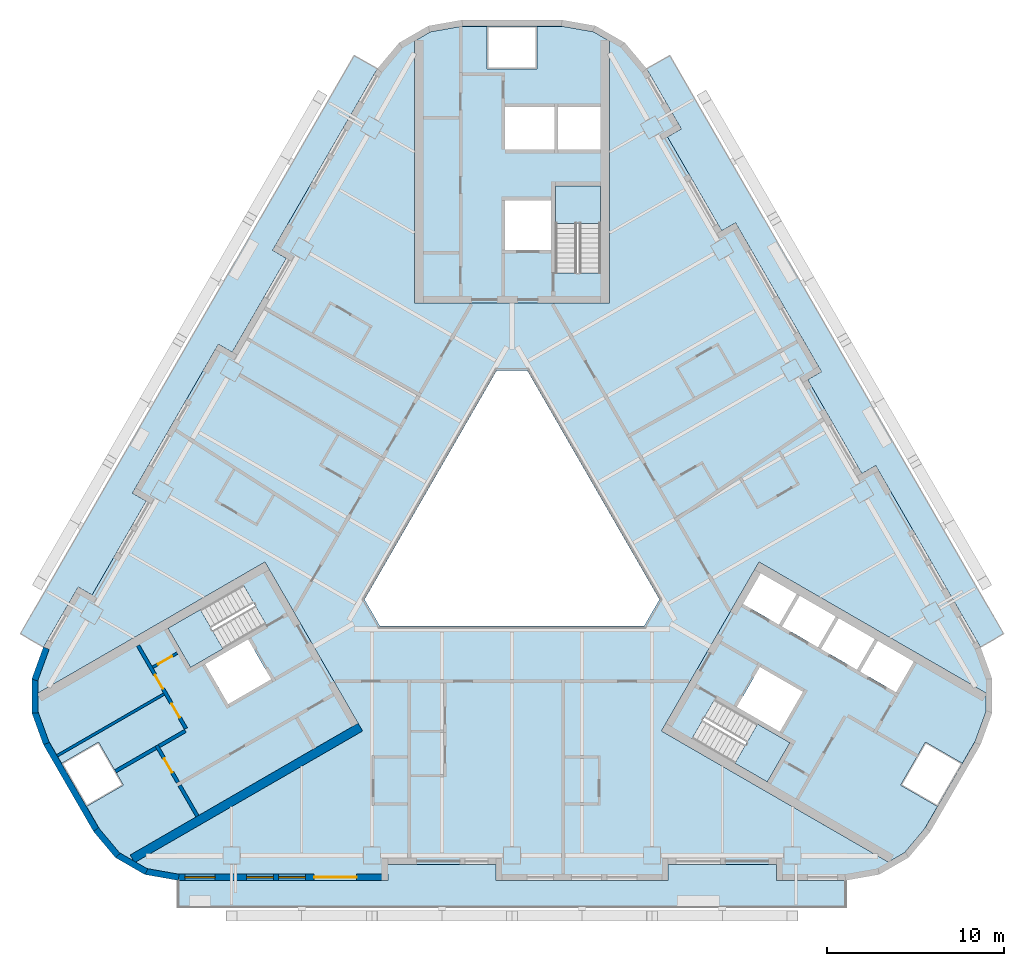
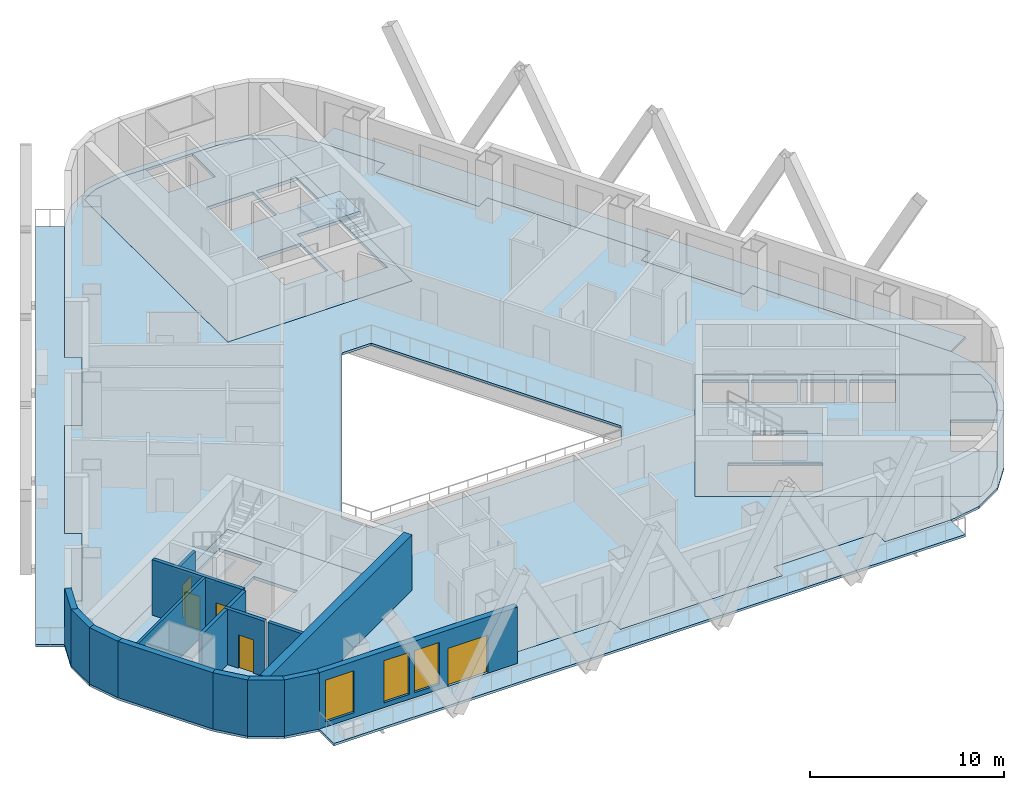
# One storey, part 2 of 14: 16 walls, 10 slabs, 5 doors, 3 windows, 8 openings, 3 elements without a shape of their own.
"""IFC4 building model written with IfcOpenShell, lengths in metres."""

from ifc_helpers import new_model, si_unit, direction, frame, frame_2d, origin, place, context, subcontext, project, spatial, polyline, rectangle, outline, extrude, material, layer, layer_set, type_object, element, fill, aggregate, save


model = new_model("IFC4")

# Units and contexts
model_context = context("Model", 3, precision=1e-05, world=origin(), true_north=direction((0.0, 1.0)))
body_context = subcontext(model_context, "Body", "Model", "MODEL_VIEW")
ifc_project = project(units=[si_unit("LENGTHUNIT", "METRE"), si_unit("AREAUNIT", "SQUARE_METRE"), si_unit("VOLUMEUNIT", "CUBIC_METRE"), si_unit("PLANEANGLEUNIT", "RADIAN"), si_unit("MASSUNIT", "GRAM", prefix="KILO")], contexts=[model_context])

# Site, building, storey
site_placement = place(None, origin())
site = spatial("IfcSite", under=ifc_project, at=site_placement, CompositionType="ELEMENT")
building_placement = place(site_placement, origin())
building = spatial("IfcBuilding", under=site, at=building_placement, Name="Apuvela Tower Hotel", CompositionType="ELEMENT")
storey_placement = place(building_placement, frame((0.0, 0.0, 53.89990234375)))
storey = spatial("IfcBuildingStorey", under=building, at=storey_placement, Name="L10", CompositionType="ELEMENT", Elevation=53.89990234375)

# Slabs
ifc_material_1 = material(Name="Concrete C50/60", Category="concrete")
ifc_layer_1 = layer(ifc_material_1, 0.199951171875)
ifc_layer_set_1 = layer_set([ifc_layer_1], Name="COR-FLOOR-200")
slab_type_1 = type_object("IfcSlabType", Name="COR-FLOOR-200", PredefinedType="FLOOR", material=ifc_layer_set_1)
slab_1_placement = place(storey_placement, frame((0.0, 0.0, -0.199951171875)))
element("IfcSlab", 1, at=slab_1_placement, inside=storey, type_object=slab_type_1, Name="Core floor N", PredefinedType="FLOOR", context=body_context, shape_type="SweptSolid", body=[
    extrude(outline(polyline([(5.5, 27.668212890625), (4.588623046875, 28.1943359375), (2.85498046875, 28.5), (1.39990234375, 28.5), (1.39990234375, 26.10009765625), (-1.39990234375, 26.10009765625), (-1.39990234375, 28.5), (-2.85498046875, 28.5), (-4.588623046875, 28.1943359375), (-5.5, 27.668212890625), (-5.5, 12.89990234375), (5.5, 12.89990234375), (5.5, 27.668212890625)]), holes=[polyline([(5.0, 14.60595703125), (2.449951171875, 14.60595703125), (2.449951171875, 19.5), (5.0, 19.5), (5.0, 14.60595703125)]), polyline([(2.199951171875, 15.89990234375), (-0.39990234375, 15.89990234375), (-0.39990234375, 18.699951171875), (2.199951171875, 18.699951171875), (2.199951171875, 15.89990234375)]), polyline([(5.0, 21.550048828125), (2.60009765625, 21.550048828125), (2.60009765625, 23.949951171875), (5.0, 23.949951171875), (5.0, 21.550048828125)]), polyline([(2.39990234375, 21.550048828125), (-0.39990234375, 21.550048828125), (-0.39990234375, 23.949951171875), (2.39990234375, 23.949951171875), (2.39990234375, 21.550048828125)])]), origin(), (0.0, 0.0, 1.0), 0.199951171875),
])
slab_2_placement = place(storey_placement, frame((0.0, 0.0, -0.199951171875)))
element("IfcSlab", 2, at=slab_2_placement, inside=storey, type_object=slab_type_1, Name="Core floor SW", PredefinedType="FLOOR", context=body_context, shape_type="SweptSolid", body=[
    extrude(outline(polyline([(-26.711181640625, -9.07080078125), (-26.711181640625, -10.123291015625), (-26.109375, -11.77734375), (-25.381591796875, -13.03759765625), (-23.30322265625, -11.837646484375), (-21.9033203125, -14.262451171875), (-23.981689453125, -15.46240234375), (-23.254150390625, -16.72265625), (-22.122802734375, -18.071044921875), (-21.211181640625, -18.59716796875), (-8.421630859375, -11.213134765625), (-13.921630859375, -1.68701171875), (-26.711181640625, -9.07080078125)]), holes=[polyline([(-13.874267578125, -5.18115234375), (-18.112548828125, -7.628173828125), (-19.387451171875, -5.419921875), (-15.149169921875, -2.972900390625), (-13.874267578125, -5.18115234375)]), polyline([(-13.56982421875, -8.29638671875), (-15.99462890625, -9.6962890625), (-17.294677734375, -7.444580078125), (-14.869873046875, -6.044677734375), (-13.56982421875, -8.29638671875)])]), origin(), (0.0, 0.0, 1.0), 0.199951171875),
])
slab_3_placement = place(storey_placement, frame((0.0, 0.0, -0.199951171875)))
element("IfcSlab", 3, at=slab_3_placement, inside=storey, type_object=slab_type_1, Name="Core floor SE", PredefinedType="FLOOR", context=body_context, shape_type="SweptSolid", body=[
    extrude(outline(polyline([(21.211181640625, -18.59716796875), (22.122802734375, -18.071044921875), (23.254150390625, -16.72265625), (23.981689453125, -15.46240234375), (21.9033203125, -14.262451171875), (23.30322265625, -11.837646484375), (25.381591796875, -13.03759765625), (26.109375, -11.77734375), (26.711181640625, -10.123291015625), (26.711181640625, -9.07080078125), (13.921630859375, -1.68701171875), (8.421630859375, -11.213134765625), (21.211181640625, -18.59716796875)]), holes=[polyline([(13.01806640625, -4.052001953125), (14.01806640625, -2.31982421875), (16.044677734375, -3.489990234375), (15.044677734375, -5.221923828125), (13.01806640625, -4.052001953125)]), polyline([(17.244384765625, -6.491943359375), (15.2177734375, -5.322021484375), (16.2177734375, -3.58984375), (18.244384765625, -4.760009765625), (17.244384765625, -6.491943359375)]), polyline([(14.387451171875, -14.080078125), (10.149169921875, -11.633056640625), (11.42431640625, -9.4248046875), (15.66259765625, -11.871826171875), (14.387451171875, -14.080078125)]), polyline([(12.669921875, -9.855224609375), (13.9697265625, -7.603515625), (16.394775390625, -9.003662109375), (15.0947265625, -11.25537109375), (12.669921875, -9.855224609375)]), polyline([(19.444091796875, -7.761962890625), (17.41748046875, -6.591796875), (18.41748046875, -4.85986328125), (20.444091796875, -6.02978515625), (19.444091796875, -7.761962890625)]), polyline([(21.643798828125, -9.031982421875), (19.6171875, -7.86181640625), (20.6171875, -6.1298828125), (22.643798828125, -7.2998046875), (21.643798828125, -9.031982421875)])]), origin(), (0.0, 0.0, 1.0), 0.199951171875),
])

# Stair, slab
stair_type = type_object("IfcStairType", Name="COR-STAIR-22R", PredefinedType="HALF_TURN_STAIR", material=ifc_material_1)
stair_1_placement = place(storey_placement, origin())
stair_1 = element("IfcStair", 4, at=stair_1_placement, inside=storey, type_object=stair_type, Name="L10 Exit stair ST1", PredefinedType="HALF_TURN_STAIR")
ifc_layer_2 = layer(ifc_material_1, 0.199951171875)
ifc_layer_set_2 = layer_set([ifc_layer_2], Name="COR-LANDING-200")
slab_type_2 = type_object("IfcSlabType", Name="COR-LANDING-200", PredefinedType="LANDING", material=ifc_layer_set_2)
slab_4_placement = place(storey_placement, frame((0.0, 0.0, 1.650146484375)))
slab_4 = element("IfcSlab", 5, at=slab_4_placement, type_object=slab_type_2, Name="ST1 landing 1", PredefinedType="LANDING", context=body_context, shape_type="SweptSolid", body=[
    extrude(outline(polyline([(5.0, 17.39404296875), (5.0, 19.5), (2.449951171875, 19.5), (2.449951171875, 17.39404296875), (5.0, 17.39404296875)])), origin(), (0.0, 0.0, 1.0), 0.199951171875),
])
aggregate(stair_1, [slab_4])

stair_2_placement = place(storey_placement, origin())
stair_2 = element("IfcStair", 6, at=stair_2_placement, inside=storey, type_object=stair_type, Name="L10 Exit stair ST2", PredefinedType="HALF_TURN_STAIR")
slab_5_placement = place(storey_placement, frame((0.0, 0.0, 1.650146484375)))
slab_5 = element("IfcSlab", 7, at=slab_5_placement, type_object=slab_type_2, Name="ST2 landing 1", PredefinedType="LANDING", context=body_context, shape_type="SweptSolid", body=[
    extrude(outline(polyline([(-17.563720703125, -4.366943359375), (-19.387451171875, -5.419921875), (-18.112548828125, -7.628173828125), (-16.28857421875, -6.5751953125), (-17.563720703125, -4.366943359375)])), origin(), (0.0, 0.0, 1.0), 0.199951171875),
])
aggregate(stair_2, [slab_5])

stair_3_placement = place(storey_placement, origin())
stair_3 = element("IfcStair", 8, at=stair_3_placement, inside=storey, type_object=stair_type, Name="L10 Exit stair ST3", PredefinedType="HALF_TURN_STAIR")
slab_6_placement = place(storey_placement, frame((0.0, 0.0, 1.650146484375)))
slab_6 = element("IfcSlab", 9, at=slab_6_placement, type_object=slab_type_2, Name="ST3 landing 1", PredefinedType="LANDING", context=body_context, shape_type="SweptSolid", body=[
    extrude(outline(polyline([(12.563720703125, -13.027099609375), (14.387451171875, -14.080078125), (15.66259765625, -11.871826171875), (13.838623046875, -10.81884765625), (12.563720703125, -13.027099609375)])), origin(), (0.0, 0.0, 1.0), 0.199951171875),
])
aggregate(stair_3, [slab_6])

# Slabs
ifc_material_2 = material(Name="Concrete C40/50, fair-faced", Category="concrete")
ifc_layer_3 = layer(ifc_material_2, 0.14990234375)
ifc_layer_set_3 = layer_set([ifc_layer_3], Name="ENV-BALCONY-150")
slab_type_3 = type_object("IfcSlabType", Name="ENV-BALCONY-150", PredefinedType="FLOOR", material=ifc_layer_set_3)
slab_7_placement = place(storey_placement, frame((0.0, 0.0, -0.14990234375)))
element("IfcSlab", 10, at=slab_7_placement, inside=storey, type_object=slab_type_3, Name="Balcony slab S L10", PredefinedType="FLOOR", context=body_context, shape_type="SweptSolid", body=[
    extrude(outline(polyline([(18.82080078125, -21.135009765625), (-18.82080078125, -21.135009765625), (-18.82080078125, -19.625), (-7.0048828125, -19.625), (-7.0048828125, -18.72509765625), (-0.89501953125, -18.72509765625), (-0.89501953125, -19.625), (8.794921875, -19.625), (8.794921875, -18.72509765625), (14.905029296875, -18.72509765625), (14.905029296875, -19.625), (18.82080078125, -19.625), (18.82080078125, -21.135009765625)])), origin(), (0.0, 0.0, 1.0), 0.14990234375),
])
slab_8_placement = place(storey_placement, frame((0.0, 0.0, -0.14990234375)))
element("IfcSlab", 11, at=slab_8_placement, inside=storey, type_object=slab_type_3, Name="Balcony slab NE L10", PredefinedType="FLOOR", context=body_context, shape_type="SweptSolid", body=[
    extrude(outline(polyline([(17.443359375, 9.037353515625), (12.598388671875, 17.42919921875), (11.81884765625, 16.979248046875), (8.763916015625, 22.2705078125), (9.543212890625, 22.720703125), (7.585205078125, 26.11181640625), (8.89306640625, 26.86669921875), (27.7138671875, -5.731689453125), (26.40625, -6.48681640625), (20.498291015625, 3.74609375), (19.71875, 3.2958984375), (16.663818359375, 8.58740234375), (17.443359375, 9.037353515625)])), origin(), (0.0, 0.0, 1.0), 0.14990234375),
])
slab_9_placement = place(storey_placement, frame((0.0, 0.0, -0.14990234375)))
element("IfcSlab", 12, at=slab_9_placement, inside=storey, type_object=slab_type_3, Name="Balcony slab NW L10", PredefinedType="FLOOR", context=body_context, shape_type="SweptSolid", body=[
    extrude(outline(polyline([(-27.7138671875, -5.731689453125), (-8.89306640625, 26.86669921875), (-7.585205078125, 26.11181640625), (-13.4931640625, 15.87890625), (-12.7138671875, 15.428955078125), (-15.768798828125, 10.1376953125), (-16.548095703125, 10.587646484375), (-21.393310546875, 2.19580078125), (-20.61376953125, 1.745849609375), (-23.668701171875, -3.545654296875), (-24.4482421875, -3.095703125), (-26.40625, -6.48681640625), (-27.7138671875, -5.731689453125)])), origin(), (0.0, 0.0, 1.0), 0.14990234375),
])
ifc_material_3 = material(Name="Concrete C35/45", Category="concrete")
ifc_layer_4 = layer(ifc_material_3, 0.14990234375)
ifc_layer_set_4 = layer_set([ifc_layer_4], Name="STR-SLAB 150 floor Concrete C35/45")
slab_type_4 = type_object("IfcSlabType", Name="STR-SLAB 150 floor Concrete C35/45", PredefinedType="FLOOR", material=ifc_layer_set_4)
slab_10_placement = place(storey_placement, frame((0.0, 0.0, -0.14990234375)))
element("IfcSlab", 13, at=slab_10_placement, inside=storey, type_object=slab_type_4, Name="Floor slab S4 L10", PredefinedType="FLOOR", context=body_context, shape_type="SweptSolid", body=[
    extrude(outline(polyline([(-6.3642578125, 27.5732421875), (-4.710205078125, 28.5283203125), (-2.8291015625, 28.860107421875), (2.8291015625, 28.860107421875), (4.710205078125, 28.5283203125), (6.3642578125, 27.5732421875), (7.59228515625, 26.110107421875), (9.550048828125, 22.71875), (8.770751953125, 22.268798828125), (11.82080078125, 16.986083984375), (12.60009765625, 17.43603515625), (17.4501953125, 9.035400390625), (16.670654296875, 8.58544921875), (19.720703125, 3.302734375), (20.5, 3.752685546875), (26.407958984375, -6.47998046875), (27.061279296875, -8.27490234375), (27.061279296875, -10.18505859375), (26.407958984375, -11.97998046875), (23.5791015625, -16.8798828125), (22.351318359375, -18.34326171875), (20.697021484375, -19.29833984375), (18.81591796875, -19.6298828125), (14.89990234375, -19.6298828125), (14.89990234375, -18.72998046875), (8.800048828125, -18.72998046875), (8.800048828125, -19.6298828125), (-0.89990234375, -19.6298828125), (-0.89990234375, -18.72998046875), (-7.0, -18.72998046875), (-7.0, -19.6298828125), (-18.81591796875, -19.6298828125), (-20.697021484375, -19.29833984375), (-22.351318359375, -18.34326171875), (-23.5791015625, -16.8798828125), (-26.407958984375, -11.97998046875), (-27.061279296875, -10.18505859375), (-27.061279296875, -8.27490234375), (-26.407958984375, -6.47998046875), (-24.4501953125, -3.088623046875), (-23.670654296875, -3.538818359375), (-20.62060546875, 1.743896484375), (-21.400146484375, 2.194091796875), (-16.550048828125, 10.594482421875), (-15.7705078125, 10.14453125), (-12.720703125, 15.42724609375), (-13.5, 15.877197265625), (-7.59228515625, 26.110107421875), (-6.3642578125, 27.5732421875)]), holes=[polyline([(0.865966796875, 9.10009765625), (-0.865966796875, 9.10009765625), (-8.313720703125, -3.800048828125), (-7.44775390625, -5.300048828125), (7.44775390625, -5.300048828125), (8.313720703125, -3.800048828125), (0.865966796875, 9.10009765625)]), polyline([(-5.5, 12.89990234375), (-5.5, 27.668212890625), (-4.588623046875, 28.1943359375), (-2.85498046875, 28.5), (2.85498046875, 28.5), (4.588623046875, 28.1943359375), (5.5, 27.668212890625), (5.5, 12.89990234375), (-5.5, 12.89990234375)]), polyline([(-8.421630859375, -11.213134765625), (-21.211181640625, -18.59716796875), (-22.122802734375, -18.071044921875), (-23.254150390625, -16.72265625), (-26.109375, -11.77734375), (-26.711181640625, -10.123291015625), (-26.711181640625, -9.07080078125), (-13.921630859375, -1.68701171875), (-8.421630859375, -11.213134765625)]), polyline([(13.921630859375, -1.68701171875), (26.711181640625, -9.07080078125), (26.711181640625, -10.123291015625), (26.109375, -11.77734375), (23.254150390625, -16.72265625), (22.122802734375, -18.071044921875), (21.211181640625, -18.59716796875), (8.421630859375, -11.213134765625), (13.921630859375, -1.68701171875)])]), origin(), (0.0, 0.0, 1.0), 0.14990234375),
])

# Wall
ifc_layer_5 = layer(ifc_material_1, 0.5)
ifc_layer_set_5 = layer_set([ifc_layer_5], Name="COR-WALL-CORE-500")
wall_type_1 = type_object("IfcWallType", Name="COR-WALL-CORE-500", PredefinedType="SHEAR", material=ifc_layer_set_5)
wall_1_placement = place(storey_placement, frame((-8.546630859375, -10.99658203125, 0.0), z_axis=(0.0, 0.0, 1.0), x_axis=(-0.866025009528, -0.500000682871, 0.0)))
element("IfcWall", 14, at=wall_1_placement, inside=storey, type_object=wall_type_1, Name="Core wall SW", PredefinedType="SHEAR", context=body_context, shape_type="SweptSolid", body=[
    extrude(rectangle(XDim=14.8369140625, YDim=0.5, at=frame_2d((7.41845703125, 0.0))), origin(), (0.0, 0.0, 1.0), 3.5),
])

# Wall, opening, door
ifc_material_4 = material(Name="Blockwork 150 mm plastered", Category="masonry")
ifc_layer_6 = layer(ifc_material_4, 0.14990234375)
ifc_layer_set_6 = layer_set([ifc_layer_6], Name="COR-WALL-PART-150")
wall_type_2 = type_object("IfcWallType", Name="COR-WALL-PART-150", PredefinedType="PARTITIONING", material=ifc_layer_set_6)
wall_2_placement = place(storey_placement, frame((-18.866455078125, -6.822265625, 0.0), z_axis=(0.0, 0.0, 1.0), x_axis=(-0.866028054938, -0.499995408039, 0.0)))
wall_2 = element("IfcWall", 15, at=wall_2_placement, inside=storey, type_object=wall_type_2, Name="Partition SW", PredefinedType="PARTITIONING", context=body_context, shape_type="SweptSolid", body=[
    extrude(rectangle(XDim=1.60009765625, YDim=0.14990234375, at=frame_2d((0.800048828125, 0.0))), origin(), (0.0, 0.0, 1.0), 3.5),
])
opening_1_placement = place(wall_2_placement, frame((0.35009765625, 0.0, 0.0)))
opening_1 = element("IfcOpeningElement", 16, at=opening_1_placement, cuts=wall_2, Name="Opening W-RD", PredefinedType="OPENING", context=body_context, shape_type="SweptSolid", body=[
    extrude(rectangle(XDim=0.89990234375, YDim=2.10009765625, at=frame_2d((0.449951171875, 1.050048828125))), frame((0.0, 0.0849609375, 0.0), z_axis=(0.0, -1.0, 0.0), x_axis=(1.0, 0.0, 0.0)), (0.0, 0.0, 1.0), 0.169921875),
])
ifc_material_5 = material(Name="Steel access door, powder coated", Category="steel")
door_type_1 = type_object("IfcDoorType", Name="COR-RD-900", OperationType="NOTDEFINED", PredefinedType="DOOR", material=ifc_material_5)
door_1_placement = place(opening_1_placement, frame((0.89990234375, 0.0, 0.0), z_axis=(0.0, 0.0, 1.0), x_axis=(-1.0, 0.0, 0.0)))
door_1 = element("IfcDoor", 17, at=door_1_placement, inside=storey, type_object=door_type_1, Name="Riser door W-RD", OperationType="SINGLE_SWING_RIGHT", OverallHeight=2.10009765625, OverallWidth=0.89990234375, PredefinedType="DOOR", context=body_context, shape_type="SweptSolid", body=[
    extrude(rectangle(XDim=0.89990234375, YDim=2.10009765625, at=frame_2d((0.449951171875, 1.050048828125))), frame((0.0, 0.02490234375, 0.0), z_axis=(0.0, -1.0, 0.0), x_axis=(1.0, 0.0, 0.0)), (0.0, 0.0, 1.0), 0.050048828125),
])
fill(opening_1, door_1)

# Wall
wall_3_placement = place(storey_placement, frame((-19.61279296875, -9.129638671875, 0.0), z_axis=(0.0, 0.0, 1.0), x_axis=(-0.866031734426, -0.499989034847, 0.0)))
element("IfcWall", 18, at=wall_3_placement, inside=storey, type_object=wall_type_2, Name="Partition SW", PredefinedType="PARTITIONING", context=body_context, shape_type="SweptSolid", body=[
    extrude(rectangle(XDim=6.949951171875, YDim=0.14990234375, at=frame_2d((3.47509765625, 0.0))), origin(), (0.0, 0.0, 1.0), 3.5),
])

# Wall, openings, doors
ifc_material_6 = material(Name="Blockwork 200 mm plastered", Category="masonry")
ifc_layer_7 = layer(ifc_material_6, 0.199951171875)
ifc_layer_set_7 = layer_set([ifc_layer_7], Name="COR-WALL-PART-200")
wall_type_3 = type_object("IfcWallType", Name="COR-WALL-PART-200", PredefinedType="PARTITIONING", material=ifc_layer_set_7)
wall_4_placement = place(storey_placement, frame((-21.076171875, -6.39501953125, 0.0), z_axis=(0.0, 0.0, 1.0), x_axis=(0.50001468107, -0.866016927499, 0.0)))
wall_4 = element("IfcWall", 19, at=wall_4_placement, inside=storey, type_object=wall_type_3, Name="Partition SW", PredefinedType="PARTITIONING", context=body_context, shape_type="SweptSolid", body=[
    extrude(rectangle(XDim=5.399658203125, YDim=0.199951171875, at=frame_2d((2.69970703125, 0.0))), origin(), (0.0, 0.0, 1.0), 3.5),
])
opening_2_placement = place(wall_4_placement, frame((1.91259765625, 0.0, 0.0)))
opening_2 = element("IfcOpeningElement", 20, at=opening_2_placement, cuts=wall_4, Name="Opening W-RS1", PredefinedType="OPENING", context=body_context, shape_type="SweptSolid", body=[
    extrude(rectangle(XDim=0.89990234375, YDim=2.10009765625, at=frame_2d((0.449951171875, 1.050048828125))), frame((0.0, 0.10986328125, 0.0), z_axis=(0.0, -1.0, 0.0), x_axis=(1.0, 0.0, 0.0)), (0.0, 0.0, 1.0), 0.219970703125),
])
opening_3_placement = place(wall_4_placement, frame((3.78759765625, 0.0, 0.0)))
opening_3 = element("IfcOpeningElement", 21, at=opening_3_placement, cuts=wall_4, Name="Opening W-RS2", PredefinedType="OPENING", context=body_context, shape_type="SweptSolid", body=[
    extrude(rectangle(XDim=0.89990234375, YDim=2.10009765625, at=frame_2d((0.449951171875, 1.050048828125))), frame((0.0, 0.10986328125, 0.0), z_axis=(0.0, -1.0, 0.0), x_axis=(1.0, 0.0, 0.0)), (0.0, 0.0, 1.0), 0.219970703125),
])
ifc_material_7 = material(Name="Steel fire door, powder coated", Category="steel")
door_type_2 = type_object("IfcDoorType", Name="COR-DR-900", OperationType="NOTDEFINED", PredefinedType="DOOR", material=ifc_material_7)
door_2_placement = place(opening_2_placement, frame((0.89990234375, 0.0, 0.0), z_axis=(0.0, 0.0, 1.0), x_axis=(-1.0, 0.0, 0.0)))
door_2 = element("IfcDoor", 22, at=door_2_placement, inside=storey, type_object=door_type_2, Name="Store door W-RS1", OperationType="SINGLE_SWING_LEFT", OverallHeight=2.10009765625, OverallWidth=0.89990234375, PredefinedType="DOOR", context=body_context, shape_type="SweptSolid", body=[
    extrude(rectangle(XDim=0.89990234375, YDim=2.10009765625, at=frame_2d((0.449951171875, 1.050048828125))), frame((0.0, 0.02490234375, 0.0), z_axis=(0.0, -1.0, 0.0), x_axis=(1.0, 0.0, 0.0)), (0.0, 0.0, 1.0), 0.050048828125),
])
fill(opening_2, door_2)
door_3_placement = place(opening_3_placement, frame((0.89990234375, 0.0, 0.0), z_axis=(0.0, 0.0, 1.0), x_axis=(-1.0, 0.0, 0.0)))
door_3 = element("IfcDoor", 23, at=door_3_placement, inside=storey, type_object=door_type_2, Name="Store door W-RS2", OperationType="SINGLE_SWING_LEFT", OverallHeight=2.10009765625, OverallWidth=0.89990234375, PredefinedType="DOOR", context=body_context, shape_type="SweptSolid", body=[
    extrude(rectangle(XDim=0.89990234375, YDim=2.10009765625, at=frame_2d((0.449951171875, 1.050048828125))), frame((0.0, 0.02490234375, 0.0), z_axis=(0.0, -1.0, 0.0), x_axis=(1.0, 0.0, 0.0)), (0.0, 0.0, 1.0), 0.050048828125),
])
fill(opening_3, door_3)

# Wall, opening, door
ifc_layer_8 = layer(ifc_material_1, 0.199951171875)
ifc_layer_set_8 = layer_set([ifc_layer_8], Name="COR-WALL-SHAFT-200")
wall_type_4 = type_object("IfcWallType", Name="COR-WALL-SHAFT-200", PredefinedType="SHEAR", material=ifc_layer_set_8)
wall_5_placement = place(storey_placement, frame((-20.030517578125, -12.0263671875, 0.0), z_axis=(0.0, 0.0, 1.0), x_axis=(0.500033551112, -0.866006032174, 0.0)))
wall_5 = element("IfcWall", 24, at=wall_5_placement, inside=storey, type_object=wall_type_4, Name="Shaft wall SW", PredefinedType="SHEAR", context=body_context, shape_type="SweptSolid", body=[
    extrude(rectangle(XDim=2.400146484375, YDim=0.199951171875, at=frame_2d((1.2001953125, 0.0))), origin(), (0.0, 0.0, 1.0), 3.5),
])
opening_4_placement = place(wall_5_placement, frame((0.85009765625, 0.0, 0.0)))
opening_4 = element("IfcOpeningElement", 25, at=opening_4_placement, cuts=wall_5, Name="Opening W-REP", PredefinedType="OPENING", context=body_context, shape_type="SweptSolid", body=[
    extrude(rectangle(XDim=0.89990234375, YDim=2.10009765625, at=frame_2d((0.449951171875, 1.050048828125))), frame((0.0, 0.10986328125, 0.0), z_axis=(0.0, -1.0, 0.0), x_axis=(1.0, 0.0, 0.0)), (0.0, 0.0, 1.0), 0.219970703125),
])
door_4_placement = place(opening_4_placement, frame((0.89990234375, 0.0, 0.0), z_axis=(0.0, 0.0, 1.0), x_axis=(-1.0, 0.0, 0.0)))
door_4 = element("IfcDoor", 26, at=door_4_placement, inside=storey, type_object=door_type_2, Name="Store door W-REP", OperationType="SINGLE_SWING_LEFT", OverallHeight=2.10009765625, OverallWidth=0.89990234375, PredefinedType="DOOR", context=body_context, shape_type="SweptSolid", body=[
    extrude(rectangle(XDim=0.89990234375, YDim=2.10009765625, at=frame_2d((0.449951171875, 1.050048828125))), frame((0.0, 0.02490234375, 0.0), z_axis=(0.0, -1.0, 0.0), x_axis=(1.0, 0.0, 0.0)), (0.0, 0.0, 1.0), 0.050048828125),
])
fill(opening_4, door_4)

# Walls
wall_6_placement = place(storey_placement, frame((-18.412841796875, -11.2080078125, 0.0), z_axis=(0.0, 0.0, 1.0), x_axis=(-0.866038183914, -0.499977863513, 0.0)))
element("IfcWall", 27, at=wall_6_placement, inside=storey, type_object=wall_type_4, Name="Shaft wall SW", PredefinedType="SHEAR", context=body_context, shape_type="SweptSolid", body=[
    extrude(rectangle(XDim=1.7099609375, YDim=0.199951171875, at=frame_2d((0.85498046875, 0.0))), origin(), (0.0, 0.0, 1.0), 3.5),
])
wall_7_placement = place(storey_placement, frame((-18.73046875, -14.278076171875, 0.0), z_axis=(0.0, 0.0, 1.0), x_axis=(0.50002537861, -0.866010750942, 0.0)))
element("IfcWall", 28, at=wall_7_placement, inside=storey, type_object=wall_type_4, Name="Shaft wall SW", PredefinedType="SHEAR", context=body_context, shape_type="SweptSolid", body=[
    extrude(rectangle(XDim=2.0, YDim=0.199951171875, at=frame_2d((1.0, 0.0))), origin(), (0.0, 0.0, 1.0), 3.5),
])
wall_8_placement = place(storey_placement, frame((-20.06689453125, -12.1630859375, 0.0), z_axis=(0.0, 0.0, 1.0), x_axis=(-0.866060851709, -0.499938597367, 0.0)))
element("IfcWall", 29, at=wall_8_placement, inside=storey, type_object=wall_type_4, Name="Shaft wall SW", PredefinedType="SHEAR", context=body_context, shape_type="SweptSolid", body=[
    extrude(rectangle(XDim=2.639892578125, YDim=0.199951171875, at=frame_2d((1.31982421875, 0.0))), origin(), (0.0, 0.0, 1.0), 3.5),
])
ifc_material_8 = material(Name="Concrete C40/50, dark pigmented precast panel", Category="concrete")
ifc_layer_9 = layer(ifc_material_8, 0.35009765625)
ifc_layer_set_9 = layer_set([ifc_layer_9], Name="ENV-WALL-350")
wall_type_5 = type_object("IfcWallType", Name="ENV-WALL-350", PredefinedType="SOLIDWALL", material=ifc_layer_set_9)
for number, where, z_axis, x_axis, name in (
    (30, (-26.24365234375, -6.539794921875, 0.0), (0.0, 0.0, 1.0), (-0.342030395486, -0.939688889242, 0.0), "External wall L10-10"),
    (31, (-26.88623046875, -8.27490234375, 0.0), (0.0, 0.0, 1.0), (0.0, -1.0, 0.0), "External wall L10-11"),
    (32, (-26.89697265625, -10.125244140625, 0.0), (0.0, 0.0, 1.0), (0.342030395486, -0.939688889242, 0.0), "External wall L10-12"),
):
    element("IfcWall", number, at=place(storey_placement, frame(where, z_axis=z_axis, x_axis=x_axis)), inside=storey, type_object=wall_type_5, Name=name, PredefinedType="SOLIDWALL", context=body_context, shape_type="SweptSolid", body=[
        extrude(rectangle(XDim=1.91015625, YDim=0.35009765625, at=frame_2d((0.955078125, 0.0))), origin(), (0.0, 0.0, 1.0), 3.550048828125),
    ])
wall_9_placement = place(storey_placement, frame((-26.256591796875, -11.892578125, 0.0), z_axis=(0.0, 0.0, 1.0), x_axis=(0.500018773155, -0.866014564827, 0.0)))
element("IfcWall", 33, at=wall_9_placement, inside=storey, type_object=wall_type_5, Name="External wall L10-13", PredefinedType="SOLIDWALL", context=body_context, shape_type="SweptSolid", body=[
    extrude(rectangle(XDim=5.657958984375, YDim=0.35009765625, at=frame_2d((2.8291015625, 0.0))), origin(), (0.0, 0.0, 1.0), 3.550048828125),
])
for number, where, z_axis, x_axis, name in (
    (34, (-23.44482421875, -16.767578125, 0.0), (0.0, 0.0, 1.0), (0.642733291068, -0.76609001857, 0.0), "External wall L10-14"),
    (35, (-22.263671875, -18.191650390625, 0.0), (0.0, 0.0, 1.0), (0.866000389056, -0.500043324278, 0.0), "External wall L10-15"),
):
    element("IfcWall", number, at=place(storey_placement, frame(where, z_axis=z_axis, x_axis=x_axis)), inside=storey, type_object=wall_type_5, Name=name, PredefinedType="SOLIDWALL", context=body_context, shape_type="SweptSolid", body=[
        extrude(rectangle(XDim=1.909912109375, YDim=0.35009765625, at=frame_2d((0.955078125, 0.0))), origin(), (0.0, 0.0, 1.0), 3.550048828125),
    ])
wall_10_placement = place(storey_placement, frame((-20.66650390625, -19.1259765625, 0.0), z_axis=(0.0, 0.0, 1.0), x_axis=(0.984798995425, -0.173697837091, 0.0)))
element("IfcWall", 36, at=wall_10_placement, inside=storey, type_object=wall_type_5, Name="External wall L10-16", PredefinedType="SOLIDWALL", context=body_context, shape_type="SweptSolid", body=[
    extrude(rectangle(XDim=1.91015625, YDim=0.35009765625, at=frame_2d((0.955078125, 0.0))), origin(), (0.0, 0.0, 1.0), 3.550048828125),
])

# Wall, openings, door, windows
wall_11_placement = place(storey_placement, frame((-18.81591796875, -19.455078125, 0.0), z_axis=(0.0, 0.0, 1.0), x_axis=(1.0, 0.0, 0.0)))
wall_11 = element("IfcWall", 37, at=wall_11_placement, inside=storey, type_object=wall_type_5, Name="External wall L10-17", PredefinedType="SOLIDWALL", context=body_context, shape_type="SweptSolid", body=[
    extrude(rectangle(XDim=11.81591796875, YDim=0.35009765625, at=frame_2d((5.907958984375, 0.0))), origin(), (0.0, 0.0, 1.0), 3.550048828125),
])
opening_5_placement = place(wall_11_placement, frame((0.380615234375, 0.0, 0.300048828125)))
opening_5 = element("IfcOpeningElement", 38, at=opening_5_placement, cuts=wall_11, Name="Opening WN17", PredefinedType="OPENING", context=body_context, shape_type="SweptSolid", body=[
    extrude(rectangle(XDim=1.699951171875, YDim=2.64990234375, at=frame_2d((0.85009765625, 1.324951171875))), frame((0.0, 0.18505859375, 0.0), z_axis=(0.0, -1.0, 0.0), x_axis=(1.0, 0.0, 0.0)), (0.0, 0.0, 1.0), 0.3701171875),
])
opening_6_placement = place(wall_11_placement, frame((7.665283203125, 0.0, 0.0)))
opening_6 = element("IfcOpeningElement", 39, at=opening_6_placement, cuts=wall_11, Name="Opening BD24", PredefinedType="OPENING", context=body_context, shape_type="SweptSolid", body=[
    extrude(rectangle(XDim=2.39990234375, YDim=2.39990234375, at=frame_2d((1.199951171875, 1.199951171875))), frame((0.0, 0.18505859375, 0.0), z_axis=(0.0, -1.0, 0.0), x_axis=(1.0, 0.0, 0.0)), (0.0, 0.0, 1.0), 0.3701171875),
])
opening_7_placement = place(wall_11_placement, frame((3.865966796875, 0.0, 0.300048828125)))
opening_7 = element("IfcOpeningElement", 40, at=opening_7_placement, cuts=wall_11, Name="Opening WN15", PredefinedType="OPENING", context=body_context, shape_type="SweptSolid", body=[
    extrude(rectangle(XDim=1.5, YDim=2.64990234375, at=frame_2d((0.75, 1.324951171875))), frame((0.0, 0.18505859375, 0.0), z_axis=(0.0, -1.0, 0.0), x_axis=(1.0, 0.0, 0.0)), (0.0, 0.0, 1.0), 0.3701171875),
])
opening_8_placement = place(wall_11_placement, frame((5.666015625, 0.0, 0.300048828125)))
opening_8 = element("IfcOpeningElement", 41, at=opening_8_placement, cuts=wall_11, Name="Opening WN15", PredefinedType="OPENING", context=body_context, shape_type="SweptSolid", body=[
    extrude(rectangle(XDim=1.5, YDim=2.64990234375, at=frame_2d((0.75, 1.324951171875))), frame((0.0, 0.18505859375, 0.0), z_axis=(0.0, -1.0, 0.0), x_axis=(1.0, 0.0, 0.0)), (0.0, 0.0, 1.0), 0.3701171875),
])
ifc_material_9 = material(Name="Aluminium 6063-T6, dark bronze anodised frame with dark tinted laminated glass", Category="aluminium")
door_type_3 = type_object("IfcDoorType", Name="ENV-DOOR-BALCONY-2400x2400", OperationType="SLIDING_TO_LEFT", PredefinedType="DOOR", material=ifc_material_9)
door_5_placement = place(opening_6_placement, frame((2.39990234375, 0.0, 0.0), z_axis=(0.0, 0.0, 1.0), x_axis=(-1.0, 0.0, 0.0)))
door_5 = element("IfcDoor", 42, at=door_5_placement, inside=storey, type_object=door_type_3, Name="Balcony door BD24", OperationType="SLIDING_TO_LEFT", OverallHeight=2.39990234375, OverallWidth=2.39990234375, PredefinedType="DOOR", context=body_context, shape_type="SweptSolid", body=[
    extrude(rectangle(XDim=2.39990234375, YDim=2.39990234375, at=frame_2d((1.199951171875, 1.199951171875))), frame((0.0, 0.02490234375, 0.0), z_axis=(0.0, -1.0, 0.0), x_axis=(1.0, 0.0, 0.0)), (0.0, 0.0, 1.0), 0.050048828125),
])
fill(opening_6, door_5)
ifc_material_10 = material(Name="Glass, dark tinted laminated insulated glazing unit", Category="glass")
window_type_1 = type_object("IfcWindowType", Name="ENV-WIN-1500x2650", PartitioningType="SINGLE_PANEL", PredefinedType="WINDOW", material=ifc_material_10)
window_1_placement = place(opening_7_placement, origin())
window_1 = element("IfcWindow", 43, at=window_1_placement, inside=storey, type_object=window_type_1, Name="Window WN15", OverallHeight=2.64990234375, OverallWidth=1.5, PartitioningType="SINGLE_PANEL", PredefinedType="WINDOW", context=body_context, shape_type="SweptSolid", body=[
    extrude(rectangle(XDim=1.5, YDim=2.64990234375, at=frame_2d((0.75, 1.324951171875))), frame((0.0, 0.030029296875, 0.0), z_axis=(0.0, -1.0, 0.0), x_axis=(1.0, 0.0, 0.0)), (0.0, 0.0, 1.0), 0.06005859375),
])
fill(opening_7, window_1)
window_2_placement = place(opening_8_placement, origin())
window_2 = element("IfcWindow", 44, at=window_2_placement, inside=storey, type_object=window_type_1, Name="Window WN15", OverallHeight=2.64990234375, OverallWidth=1.5, PartitioningType="SINGLE_PANEL", PredefinedType="WINDOW", context=body_context, shape_type="SweptSolid", body=[
    extrude(rectangle(XDim=1.5, YDim=2.64990234375, at=frame_2d((0.75, 1.324951171875))), frame((0.0, 0.030029296875, 0.0), z_axis=(0.0, -1.0, 0.0), x_axis=(1.0, 0.0, 0.0)), (0.0, 0.0, 1.0), 0.06005859375),
])
fill(opening_8, window_2)
window_type_2 = type_object("IfcWindowType", Name="ENV-WIN-1700x2650", PartitioningType="SINGLE_PANEL", PredefinedType="WINDOW", material=ifc_material_10)
window_3_placement = place(opening_5_placement, origin())
window_3 = element("IfcWindow", 45, at=window_3_placement, inside=storey, type_object=window_type_2, Name="Window WN17", OverallHeight=2.64990234375, OverallWidth=1.699951171875, PartitioningType="SINGLE_PANEL", PredefinedType="WINDOW", context=body_context, shape_type="SweptSolid", body=[
    extrude(rectangle(XDim=1.699951171875, YDim=2.64990234375, at=frame_2d((0.85009765625, 1.324951171875))), frame((0.0, 0.030029296875, 0.0), z_axis=(0.0, -1.0, 0.0), x_axis=(1.0, 0.0, 0.0)), (0.0, 0.0, 1.0), 0.06005859375),
])
fill(opening_5, window_3)

save(model, "model.ifc")
